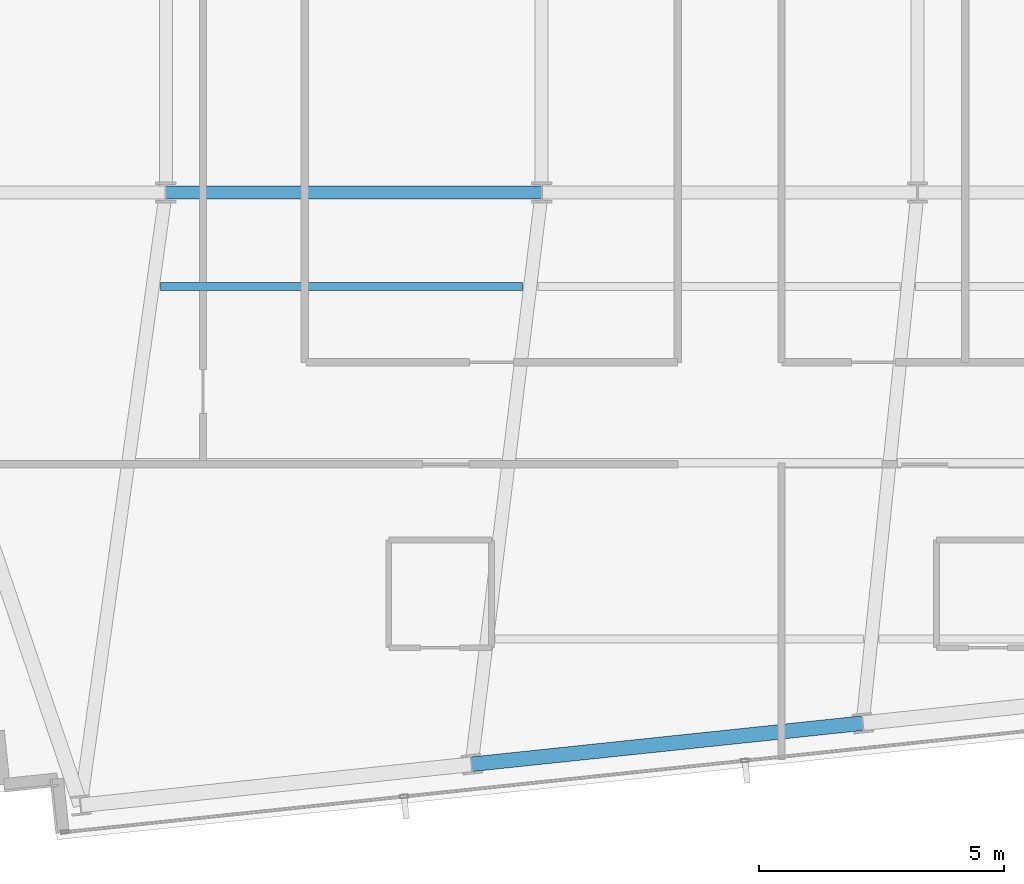
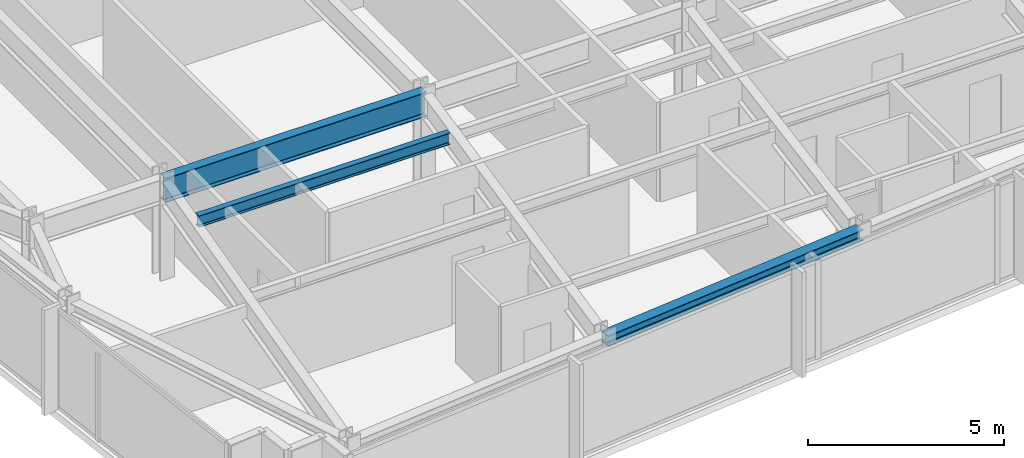
# One storey, part 6 of 32: 3 beams.
"""IFC4 building model written with IfcOpenShell, lengths in metres."""

from ifc_helpers import new_model, si_unit, direction, frame, origin, origin_2d, place, context, subcontext, project, spatial, i_section, extrude, material, material_profile, profile_set, type_object, element, save


model = new_model("IFC4")

# Units and contexts
model_context = context("Model", 3, precision=1e-05, world=origin(), true_north=direction((0.0, 1.0)))
body_context = subcontext(model_context, "Body", "Model", "MODEL_VIEW")
ifc_project = project(units=[si_unit("LENGTHUNIT", "METRE"), si_unit("AREAUNIT", "SQUARE_METRE"), si_unit("VOLUMEUNIT", "CUBIC_METRE"), si_unit("PLANEANGLEUNIT", "RADIAN"), si_unit("MASSUNIT", "GRAM", prefix="KILO")], contexts=[model_context])

# Site, building, storey
site_placement = place(None, origin())
site = spatial("IfcSite", under=ifc_project, at=site_placement, CompositionType="ELEMENT")
building_placement = place(site_placement, origin())
building = spatial("IfcBuilding", under=site, at=building_placement, Name="Yelkora Congress Tower", CompositionType="ELEMENT")
storey_placement = place(building_placement, frame((0.0, 0.0, 217.699951171875)))
storey = spatial("IfcBuildingStorey", under=building, at=storey_placement, Name="L60", CompositionType="ELEMENT", Elevation=217.699951171875)

# Beams
ifc_material = material(Name="Steel S355J2", Category="steel")
ifc_material_profile_1 = material_profile(ifc_material, i_section(OverallWidth=0.26708984375, OverallDepth=0.761962890625, WebThickness=0.014404296875, FlangeThickness=0.021484375, FilletRadius=0.01708984375, at=origin_2d()), Name="IPE 750x173")
ifc_profile_set_1 = profile_set([ifc_material_profile_1], Name="Steel S355J2")
beam_type_1 = type_object("IfcBeamType", Name="BM-GIRD-IPE750", PredefinedType="BEAM", material=ifc_profile_set_1)
beam_1_placement = place(storey_placement, frame((23.0400390625, 25.199951171875, 2.698974609375), z_axis=(1.0, 0.0, 0.0), x_axis=(0.0, 1.0, 0.0)))
element("IfcBeam", 1, at=beam_1_placement, inside=storey, type_object=beam_type_1, Name="L60 Spine Grid D Girder 2", PredefinedType="BEAM", context=body_context, shape_type="SweptSolid", body=[
    extrude(i_section(OverallWidth=0.26708984375, OverallDepth=0.761962890625, WebThickness=0.014404296875, FlangeThickness=0.021484375, FilletRadius=0.01708984375, at=origin_2d()), origin(), (0.0, 0.0, 1.0), 7.679931640625),
])
ifc_material_profile_2 = material_profile(ifc_material, i_section(OverallWidth=0.169921875, OverallDepth=0.360107421875, WebThickness=0.008056640625, FlangeThickness=0.0126953125, FilletRadius=0.01806640625, at=origin_2d()), Name="IPE 360")
ifc_profile_set_2 = profile_set([ifc_material_profile_2], Name="Steel S355J2")
beam_type_2 = type_object("IfcBeamType", Name="BM-JOIST-IPE360", PredefinedType="JOIST", material=ifc_profile_set_2)
beam_2_placement = place(storey_placement, frame((22.932861328125, 23.278564453125, 2.900146484375), z_axis=(1.0, 0.0, 0.0), x_axis=(0.0, 1.0, 0.0)))
element("IfcBeam", 2, at=beam_2_placement, inside=storey, type_object=beam_type_2, Name="L60 Composite Floor Joist 9", PredefinedType="JOIST", context=body_context, shape_type="SweptSolid", body=[
    extrude(i_section(OverallWidth=0.169921875, OverallDepth=0.360107421875, WebThickness=0.008056640625, FlangeThickness=0.0126953125, FilletRadius=0.01806640625, at=origin_2d()), origin(), (0.0, 0.0, 1.0), 7.3916015625),
])
ifc_material_profile_3 = material_profile(ifc_material, i_section(OverallWidth=0.300048828125, OverallDepth=0.340087890625, WebThickness=0.011962890625, FlangeThickness=0.021484375, FilletRadius=0.027099609375, at=origin_2d()), Name="HEB 340")
ifc_profile_set_3 = profile_set([ifc_material_profile_3], Name="Steel S355J2")
beam_type_3 = type_object("IfcBeamType", Name="BM-SPAN-HEB340", PredefinedType="SPANDREL", material=ifc_profile_set_3)
beam_3_placement = place(storey_placement, frame((29.288330078125, 13.518310546875, 2.91015625), z_axis=(0.994523256947, 0.104515507904, 0.0), x_axis=(-0.104515507904, 0.994523256947, 0.0)))
element("IfcBeam", 3, at=beam_3_placement, inside=storey, type_object=beam_type_3, Name="L60 Perimeter Beam 4", PredefinedType="SPANDREL", context=body_context, shape_type="SweptSolid", body=[
    extrude(i_section(OverallWidth=0.300048828125, OverallDepth=0.340087890625, WebThickness=0.011962890625, FlangeThickness=0.021484375, FilletRadius=0.027099609375, at=origin_2d()), origin(), (0.0, 0.0, 1.0), 8.033203125),
])

save(model, "model.ifc")
